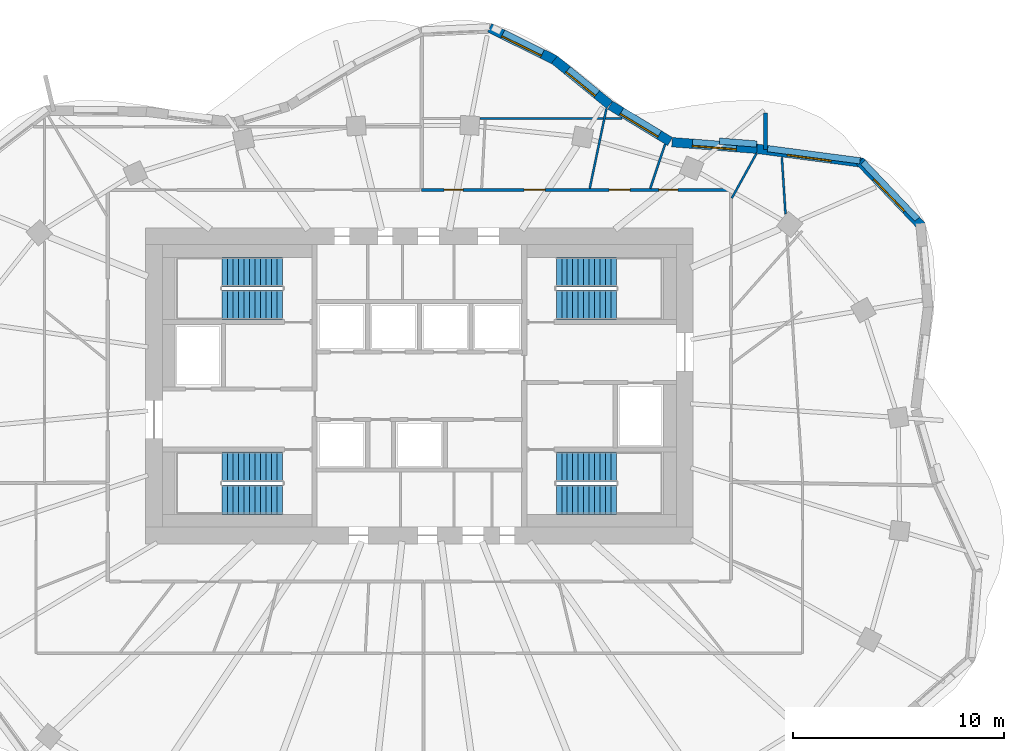
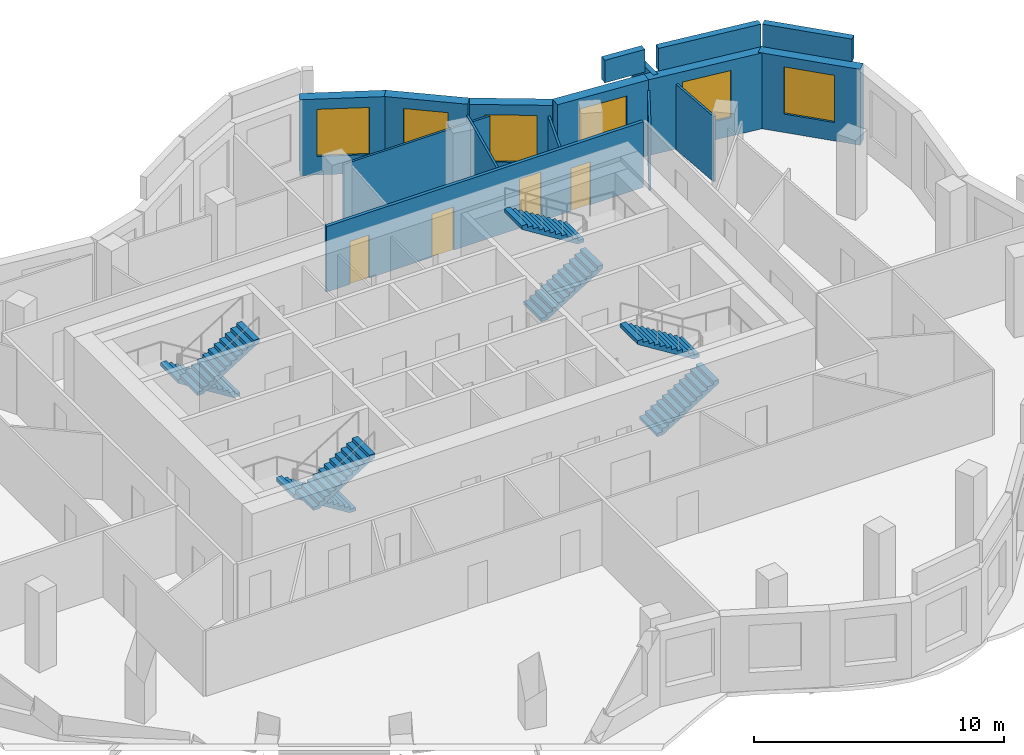
# One storey, part 8 of 9: 16 walls, 8 stair flights, 6 windows, 4 doors, 10 openings, 4 elements without a shape of their own.
"""IFC4 building model written with IfcOpenShell, lengths in metres."""

from ifc_helpers import new_model, si_unit, direction, frame, frame_2d, origin, place, context, subcontext, project, spatial, polyline, rectangle, outline, extrude, material, layer, layer_set, type_object, element, fill, aggregate, save


model = new_model("IFC4")

# Units and contexts
model_context = context("Model", 3, precision=1e-05, world=origin(), true_north=direction((0.0, 1.0)))
body_context = subcontext(model_context, "Body", "Model", "MODEL_VIEW")
ifc_project = project(units=[si_unit("LENGTHUNIT", "METRE"), si_unit("AREAUNIT", "SQUARE_METRE"), si_unit("VOLUMEUNIT", "CUBIC_METRE"), si_unit("PLANEANGLEUNIT", "RADIAN"), si_unit("MASSUNIT", "GRAM", prefix="KILO")], contexts=[model_context])

# Site, building, storey
site_placement = place(None, origin())
site = spatial("IfcSite", under=ifc_project, at=site_placement, CompositionType="ELEMENT")
building_placement = place(site_placement, origin())
building = spatial("IfcBuilding", under=site, at=building_placement, Name="Rubra Terraces Tower", CompositionType="ELEMENT")
storey_placement = place(building_placement, frame((0.0, 0.0, 300.0)))
storey = spatial("IfcBuildingStorey", under=building, at=storey_placement, Name="L74", CompositionType="ELEMENT", Elevation=300.0)

# Wall, opening, window
ifc_material_1 = material(Name="Brick masonry red-brown", Category="masonry")
ifc_layer_1 = layer(ifc_material_1, 0.449951171875)
ifc_layer_set_1 = layer_set([ifc_layer_1], Name="Brick masonry red-brown")
wall_type_1 = type_object("IfcWallType", Name="Brick facade wall 450", PredefinedType="SOLIDWALL", material=ifc_layer_set_1)
wall_1_placement = place(storey_placement, frame((23.84912109375, 12.07958984375, 0.0), z_axis=(0.0, 0.0, 1.0), x_axis=(-0.690057851873, 0.723754213161, 0.0)))
wall_1 = element("IfcWall", 1, at=wall_1_placement, inside=storey, type_object=wall_type_1, Name="Facade wall L74 bay 4", PredefinedType="SOLIDWALL", context=body_context, shape_type="SweptSolid", body=[
    extrude(rectangle(XDim=4.2529296875, YDim=0.449951171875, at=frame_2d((2.12646484375, 0.0))), origin(), (0.0, 0.0, 1.0), 3.699951171875),
])
opening_1_placement = place(wall_1_placement, frame((1.076416015625, 0.0, 0.89990234375)))
opening_1 = element("IfcOpeningElement", 2, at=opening_1_placement, cuts=wall_1, Name="Opening W1B", PredefinedType="OPENING", context=body_context, shape_type="SweptSolid", body=[
    extrude(rectangle(XDim=2.10009765625, YDim=2.300048828125, at=frame_2d((1.050048828125, 1.14990234375))), frame((0.0, 0.23486328125, 0.0), z_axis=(0.0, -1.0, 0.0), x_axis=(1.0, 0.0, 0.0)), (0.0, 0.0, 1.0), 0.469970703125),
])
ifc_material_2 = material(Name="Clear glass in aluminium frame", Category="aluminium")
window_type_1 = type_object("IfcWindowType", Name="Fixed deep-set window tall storey 2100 x 2300", PartitioningType="SINGLE_PANEL", PredefinedType="WINDOW", material=ifc_material_2)
window_1_placement = place(opening_1_placement, origin())
window_1 = element("IfcWindow", 3, at=window_1_placement, inside=storey, type_object=window_type_1, Name="Window L74 bay 4", OverallHeight=2.300048828125, OverallWidth=2.10009765625, PartitioningType="SINGLE_PANEL", PredefinedType="WINDOW", context=body_context, shape_type="SweptSolid", body=[
    extrude(rectangle(XDim=2.10009765625, YDim=2.300048828125, at=frame_2d((1.050048828125, 1.14990234375))), frame((0.0, 0.135009765625, 0.0), z_axis=(0.0, -1.0, 0.0), x_axis=(1.0, 0.0, 0.0)), (0.0, 0.0, 1.0), 0.06005859375),
])
fill(opening_1, window_1)

wall_2_placement = place(storey_placement, frame((21.043701171875, 15.090576171875, 0.0), z_axis=(0.0, 0.0, 1.0), x_axis=(-0.991409967396, 0.130790965086, 0.0)))
wall_2 = element("IfcWall", 4, at=wall_2_placement, inside=storey, type_object=wall_type_1, Name="Facade wall L74 bay 5", PredefinedType="SOLIDWALL", context=body_context, shape_type="SweptSolid", body=[
    extrude(rectangle(XDim=5.06787109375, YDim=0.449951171875, at=frame_2d((2.533935546875, 0.0))), origin(), (0.0, 0.0, 1.0), 3.699951171875),
])
opening_2_placement = place(wall_2_placement, frame((1.48388671875, 0.0, 0.89990234375)))
opening_2 = element("IfcOpeningElement", 5, at=opening_2_placement, cuts=wall_2, Name="Opening W1B", PredefinedType="OPENING", context=body_context, shape_type="SweptSolid", body=[
    extrude(rectangle(XDim=2.10009765625, YDim=2.300048828125, at=frame_2d((1.050048828125, 1.14990234375))), frame((0.0, 0.23486328125, 0.0), z_axis=(0.0, -1.0, 0.0), x_axis=(1.0, 0.0, 0.0)), (0.0, 0.0, 1.0), 0.469970703125),
])
window_2_placement = place(opening_2_placement, origin())
window_2 = element("IfcWindow", 6, at=window_2_placement, inside=storey, type_object=window_type_1, Name="Window L74 bay 5", OverallHeight=2.300048828125, OverallWidth=2.10009765625, PartitioningType="SINGLE_PANEL", PredefinedType="WINDOW", context=body_context, shape_type="SweptSolid", body=[
    extrude(rectangle(XDim=2.10009765625, YDim=2.300048828125, at=frame_2d((1.050048828125, 1.14990234375))), frame((0.0, 0.135009765625, 0.0), z_axis=(0.0, -1.0, 0.0), x_axis=(1.0, 0.0, 0.0)), (0.0, 0.0, 1.0), 0.06005859375),
])
fill(opening_2, window_2)

wall_3_placement = place(storey_placement, frame((16.0302734375, 15.751953125, 0.0), z_axis=(0.0, 0.0, 1.0), x_axis=(-0.996967628157, 0.077817404267, 0.0)))
wall_3 = element("IfcWall", 7, at=wall_3_placement, inside=storey, type_object=wall_type_1, Name="Facade wall L74 bay 6", PredefinedType="SOLIDWALL", context=body_context, shape_type="SweptSolid", body=[
    extrude(rectangle(XDim=4.047119140625, YDim=0.449951171875, at=frame_2d((2.0234375, 0.0))), origin(), (0.0, 0.0, 1.0), 3.699951171875),
])
opening_3_placement = place(wall_3_placement, frame((0.9736328125, 0.0, 0.89990234375)))
opening_3 = element("IfcOpeningElement", 8, at=opening_3_placement, cuts=wall_3, Name="Opening W1B", PredefinedType="OPENING", context=body_context, shape_type="SweptSolid", body=[
    extrude(rectangle(XDim=2.10009765625, YDim=2.300048828125, at=frame_2d((1.050048828125, 1.14990234375))), frame((0.0, 0.23486328125, 0.0), z_axis=(0.0, -1.0, 0.0), x_axis=(1.0, 0.0, 0.0)), (0.0, 0.0, 1.0), 0.469970703125),
])
window_3_placement = place(opening_3_placement, origin())
window_3 = element("IfcWindow", 9, at=window_3_placement, inside=storey, type_object=window_type_1, Name="Window L74 bay 6", OverallHeight=2.300048828125, OverallWidth=2.10009765625, PartitioningType="SINGLE_PANEL", PredefinedType="WINDOW", context=body_context, shape_type="SweptSolid", body=[
    extrude(rectangle(XDim=2.10009765625, YDim=2.300048828125, at=frame_2d((1.050048828125, 1.14990234375))), frame((0.0, 0.135009765625, 0.0), z_axis=(0.0, -1.0, 0.0), x_axis=(1.0, 0.0, 0.0)), (0.0, 0.0, 1.0), 0.06005859375),
])
fill(opening_3, window_3)

wall_4_placement = place(storey_placement, frame((11.904541015625, 16.09619140625, 0.0), z_axis=(0.0, 0.0, 1.0), x_axis=(-0.854609476155, 0.519271261738, 0.0)))
wall_4 = element("IfcWall", 10, at=wall_4_placement, inside=storey, type_object=wall_type_1, Name="Facade wall L74 bay 7", PredefinedType="SOLIDWALL", context=body_context, shape_type="SweptSolid", body=[
    extrude(rectangle(XDim=3.324951171875, YDim=0.449951171875, at=frame_2d((1.66259765625, 0.0))), origin(), (0.0, 0.0, 1.0), 3.699951171875),
])
opening_4_placement = place(wall_4_placement, frame((0.6123046875, 0.0, 0.89990234375)))
opening_4 = element("IfcOpeningElement", 11, at=opening_4_placement, cuts=wall_4, Name="Opening W1B", PredefinedType="OPENING", context=body_context, shape_type="SweptSolid", body=[
    extrude(rectangle(XDim=2.10009765625, YDim=2.300048828125, at=frame_2d((1.050048828125, 1.14990234375))), frame((0.0, 0.23486328125, 0.0), z_axis=(0.0, -1.0, 0.0), x_axis=(1.0, 0.0, 0.0)), (0.0, 0.0, 1.0), 0.469970703125),
])
window_4_placement = place(opening_4_placement, origin())
window_4 = element("IfcWindow", 12, at=window_4_placement, inside=storey, type_object=window_type_1, Name="Window L74 bay 7", OverallHeight=2.300048828125, OverallWidth=2.10009765625, PartitioningType="SINGLE_PANEL", PredefinedType="WINDOW", context=body_context, shape_type="SweptSolid", body=[
    extrude(rectangle(XDim=2.10009765625, YDim=2.300048828125, at=frame_2d((1.050048828125, 1.14990234375))), frame((0.0, 0.135009765625, 0.0), z_axis=(0.0, -1.0, 0.0), x_axis=(1.0, 0.0, 0.0)), (0.0, 0.0, 1.0), 0.06005859375),
])
fill(opening_4, window_4)

wall_5_placement = place(storey_placement, frame((9.037109375, 17.84033203125, 0.0), z_axis=(0.0, 0.0, 1.0), x_axis=(-0.774810240287, 0.632193871804, 0.0)))
wall_5 = element("IfcWall", 13, at=wall_5_placement, inside=storey, type_object=wall_type_1, Name="Facade wall L74 bay 8", PredefinedType="SOLIDWALL", context=body_context, shape_type="SweptSolid", body=[
    extrude(rectangle(XDim=3.389404296875, YDim=0.449951171875, at=frame_2d((1.69482421875, 0.0))), origin(), (0.0, 0.0, 1.0), 3.699951171875),
])
opening_5_placement = place(wall_5_placement, frame((0.794677734375, 0.0, 0.89990234375)))
opening_5 = element("IfcOpeningElement", 14, at=opening_5_placement, cuts=wall_5, Name="Opening W6B", PredefinedType="OPENING", context=body_context, shape_type="SweptSolid", body=[
    extrude(rectangle(XDim=1.800048828125, YDim=2.300048828125, at=frame_2d((0.89990234375, 1.14990234375))), frame((0.0, 0.23486328125, 0.0), z_axis=(0.0, -1.0, 0.0), x_axis=(1.0, 0.0, 0.0)), (0.0, 0.0, 1.0), 0.469970703125),
])
window_type_2 = type_object("IfcWindowType", Name="Fixed deep-set window at wind fin tall storey 1800 x 2300", PartitioningType="SINGLE_PANEL", PredefinedType="WINDOW", material=ifc_material_2)
window_5_placement = place(opening_5_placement, origin())
window_5 = element("IfcWindow", 15, at=window_5_placement, inside=storey, type_object=window_type_2, Name="Window L74 bay 8", OverallHeight=2.300048828125, OverallWidth=1.800048828125, PartitioningType="SINGLE_PANEL", PredefinedType="WINDOW", context=body_context, shape_type="SweptSolid", body=[
    extrude(rectangle(XDim=1.800048828125, YDim=2.300048828125, at=frame_2d((0.89990234375, 1.14990234375))), frame((0.0, 0.135009765625, 0.0), z_axis=(0.0, -1.0, 0.0), x_axis=(1.0, 0.0, 0.0)), (0.0, 0.0, 1.0), 0.06005859375),
])
fill(opening_5, window_5)

wall_6_placement = place(storey_placement, frame((6.4501953125, 19.958251953125, 0.0), z_axis=(0.0, 0.0, 1.0), x_axis=(-0.896526715328, 0.442989671103, 0.0)))
wall_6 = element("IfcWall", 16, at=wall_6_placement, inside=storey, type_object=wall_type_1, Name="Facade wall L74 bay 9", PredefinedType="SOLIDWALL", context=body_context, shape_type="SweptSolid", body=[
    extrude(rectangle(XDim=3.47216796875, YDim=0.449951171875, at=frame_2d((1.736083984375, 0.0))), origin(), (0.0, 0.0, 1.0), 3.699951171875),
])
opening_6_placement = place(wall_6_placement, frame((0.68603515625, 0.0, 0.89990234375)))
opening_6 = element("IfcOpeningElement", 17, at=opening_6_placement, cuts=wall_6, Name="Opening W1B", PredefinedType="OPENING", context=body_context, shape_type="SweptSolid", body=[
    extrude(rectangle(XDim=2.10009765625, YDim=2.300048828125, at=frame_2d((1.050048828125, 1.14990234375))), frame((0.0, 0.23486328125, 0.0), z_axis=(0.0, -1.0, 0.0), x_axis=(1.0, 0.0, 0.0)), (0.0, 0.0, 1.0), 0.469970703125),
])
window_6_placement = place(opening_6_placement, origin())
window_6 = element("IfcWindow", 18, at=window_6_placement, inside=storey, type_object=window_type_1, Name="Window L74 bay 9", OverallHeight=2.300048828125, OverallWidth=2.10009765625, PartitioningType="SINGLE_PANEL", PredefinedType="WINDOW", context=body_context, shape_type="SweptSolid", body=[
    extrude(rectangle(XDim=2.10009765625, YDim=2.300048828125, at=frame_2d((1.050048828125, 1.14990234375))), frame((0.0, 0.135009765625, 0.0), z_axis=(0.0, -1.0, 0.0), x_axis=(1.0, 0.0, 0.0)), (0.0, 0.0, 1.0), 0.06005859375),
])
fill(opening_6, window_6)

# Walls
ifc_layer_2 = layer(ifc_material_1, 0.300048828125)
ifc_layer_set_2 = layer_set([ifc_layer_2], Name="Brick masonry red-brown")
wall_type_2 = type_object("IfcWallType", Name="Brick parapet 300", PredefinedType="PARAPET", material=ifc_layer_set_2)
wall_7_placement = place(storey_placement, frame((23.6396484375, 12.408203125, 3.89990234375), z_axis=(0.0, 0.0, 1.0), x_axis=(-0.690141419558, 0.723674526987, 0.0)))
element("IfcWall", 19, at=wall_7_placement, inside=storey, type_object=wall_type_2, Name="Parapet L74 bay 4", PredefinedType="PARAPET", context=body_context, shape_type="SweptSolid", body=[
    extrude(rectangle(XDim=3.73486328125, YDim=0.300048828125, at=frame_2d((1.867431640625, 0.0))), origin(), (0.0, 0.0, 1.0), 1.10009765625),
])
wall_8_placement = place(storey_placement, frame((20.922607421875, 15.18212890625, 3.89990234375), z_axis=(0.0, 0.0, 1.0), x_axis=(-0.991411041714, 0.130782821377, 0.0)))
element("IfcWall", 20, at=wall_8_placement, inside=storey, type_object=wall_type_2, Name="Parapet L74 bay 5", PredefinedType="PARAPET", context=body_context, shape_type="SweptSolid", body=[
    extrude(rectangle(XDim=4.42431640625, YDim=0.300048828125, at=frame_2d((2.212158203125, 0.0))), origin(), (0.0, 0.0, 1.0), 1.10009765625),
])
wall_9_placement = place(storey_placement, frame((16.018798828125, 15.978515625, 3.89990234375), z_axis=(0.0, 0.0, 1.0), x_axis=(-0.99696580474, 0.077840761676, 0.0)))
element("IfcWall", 21, at=wall_9_placement, inside=storey, type_object=wall_type_2, Name="Parapet L74 bay 6", PredefinedType="PARAPET", context=body_context, shape_type="SweptSolid", body=[
    extrude(rectangle(XDim=1.7783203125, YDim=0.300048828125, at=frame_2d((0.88916015625, 0.0))), origin(), (0.0, 0.0, 1.0), 1.10009765625),
])
ifc_layer_3 = layer(ifc_material_1, 0.199951171875)
ifc_layer_set_3 = layer_set([ifc_layer_3], Name="Brick masonry red-brown")
wall_type_3 = type_object("IfcWallType", Name="Brick wind fin 200", PredefinedType="SOLIDWALL", material=ifc_layer_set_3)
wall_10_placement = place(storey_placement, frame((16.43505859375, 15.7119140625, 0.0), z_axis=(0.0, 0.0, 1.0), x_axis=(-0.000279017846, 0.999999961075, 0.0)))
element("IfcWall", 22, at=wall_10_placement, inside=storey, type_object=wall_type_3, Name="Wind fin L74 3", PredefinedType="SOLIDWALL", context=body_context, shape_type="SweptSolid", body=[
    extrude(rectangle(XDim=1.75, YDim=0.199951171875, at=frame_2d((0.875, 0.0))), origin(), (0.0, 0.0, 1.0), 3.699951171875),
])

# Wall, openings, doors
ifc_material_3 = material(Name="Plasterboard on steel stud, mineral wool infill", Category="steel")
ifc_layer_4 = layer(ifc_material_3, 0.14990234375)
ifc_layer_set_4 = layer_set([ifc_layer_4], Name="Plasterboard on steel stud, mineral wool infill")
wall_type_4 = type_object("IfcWallType", Name="CORRIDOR PARTITION 150", PredefinedType="PARTITIONING", material=ifc_layer_set_4)
wall_11_placement = place(storey_placement, frame((14.72509765625, 13.800048828125, 0.0), z_axis=(0.0, 0.0, 1.0), x_axis=(-1.0, 0.0, 0.0)))
wall_11 = element("IfcWall", 23, at=wall_11_placement, inside=storey, type_object=wall_type_4, Name="PARTITION", PredefinedType="PARTITIONING", context=body_context, shape_type="SweptSolid", body=[
    extrude(rectangle(XDim=14.6162109375, YDim=0.14990234375, at=frame_2d((7.30810546875, 0.0))), origin(), (0.0, 0.0, 1.0), 3.197998046875),
])
opening_7_placement = place(wall_11_placement, frame((4.718994140625, 0.0, 0.0)))
opening_7 = element("IfcOpeningElement", 24, at=opening_7_placement, cuts=wall_11, Name="Opening 74-105", PredefinedType="OPENING", context=body_context, shape_type="SweptSolid", body=[
    extrude(rectangle(XDim=1.0, YDim=2.39990234375, at=frame_2d((0.5, 1.199951171875))), frame((0.0, 0.0849609375, 0.0), z_axis=(0.0, -1.0, 0.0), x_axis=(1.0, 0.0, 0.0)), (0.0, 0.0, 1.0), 0.169921875),
])
opening_8_placement = place(wall_11_placement, frame((2.449951171875, 0.0, 0.0)))
opening_8 = element("IfcOpeningElement", 25, at=opening_8_placement, cuts=wall_11, Name="Opening 74-122", PredefinedType="OPENING", context=body_context, shape_type="SweptSolid", body=[
    extrude(rectangle(XDim=0.89990234375, YDim=2.10009765625, at=frame_2d((0.449951171875, 1.050048828125))), frame((0.0, 0.0849609375, 0.0), z_axis=(0.0, -1.0, 0.0), x_axis=(1.0, 0.0, 0.0)), (0.0, 0.0, 1.0), 0.169921875),
])
opening_9_placement = place(wall_11_placement, frame((8.75, 0.0, 0.0)))
opening_9 = element("IfcOpeningElement", 26, at=opening_9_placement, cuts=wall_11, Name="Opening 74-123", PredefinedType="OPENING", context=body_context, shape_type="SweptSolid", body=[
    extrude(rectangle(XDim=1.0, YDim=2.10009765625, at=frame_2d((0.5, 1.050048828125))), frame((0.0, 0.0849609375, 0.0), z_axis=(0.0, -1.0, 0.0), x_axis=(1.0, 0.0, 0.0)), (0.0, 0.0, 1.0), 0.169921875),
])
opening_10_placement = place(wall_11_placement, frame((12.64990234375, 0.0, 0.0)))
opening_10 = element("IfcOpeningElement", 27, at=opening_10_placement, cuts=wall_11, Name="Opening 74-124", PredefinedType="OPENING", context=body_context, shape_type="SweptSolid", body=[
    extrude(rectangle(XDim=0.89990234375, YDim=2.10009765625, at=frame_2d((0.449951171875, 1.050048828125))), frame((0.0, 0.0849609375, 0.0), z_axis=(0.0, -1.0, 0.0), x_axis=(1.0, 0.0, 0.0)), (0.0, 0.0, 1.0), 0.169921875),
])
ifc_material_4 = material(Name="Painted timber door leaf", Category="wood")
door_type_1 = type_object("IfcDoorType", Name="BATHROOM DOOR 900 X 2100", OperationType="SINGLE_SWING_LEFT", PredefinedType="DOOR", material=ifc_material_4)
door_1_placement = place(opening_8_placement, origin())
door_1 = element("IfcDoor", 28, at=door_1_placement, inside=storey, type_object=door_type_1, Name="DOOR 74-122", OperationType="SINGLE_SWING_RIGHT", OverallHeight=2.10009765625, OverallWidth=0.89990234375, PredefinedType="DOOR", context=body_context, shape_type="SweptSolid", body=[
    extrude(rectangle(XDim=0.89990234375, YDim=2.10009765625, at=frame_2d((0.449951171875, 1.050048828125))), frame((0.0, 0.02490234375, 0.0), z_axis=(0.0, -1.0, 0.0), x_axis=(1.0, 0.0, 0.0)), (0.0, 0.0, 1.0), 0.050048828125),
])
fill(opening_8, door_1)
door_2_placement = place(opening_10_placement, origin())
door_2 = element("IfcDoor", 29, at=door_2_placement, inside=storey, type_object=door_type_1, Name="DOOR 74-124", OperationType="SINGLE_SWING_RIGHT", OverallHeight=2.10009765625, OverallWidth=0.89990234375, PredefinedType="DOOR", context=body_context, shape_type="SweptSolid", body=[
    extrude(rectangle(XDim=0.89990234375, YDim=2.10009765625, at=frame_2d((0.449951171875, 1.050048828125))), frame((0.0, 0.02490234375, 0.0), z_axis=(0.0, -1.0, 0.0), x_axis=(1.0, 0.0, 0.0)), (0.0, 0.0, 1.0), 0.050048828125),
])
fill(opening_10, door_2)
ifc_material_5 = material(Name="Glazed aluminium meeting door leaf", Category="aluminium")
door_type_2 = type_object("IfcDoorType", Name="MEETING ROOM GLAZED DOOR 1000 X 2400", OperationType="SINGLE_SWING_LEFT", PredefinedType="DOOR", material=ifc_material_5)
door_3_placement = place(opening_7_placement, origin())
door_3 = element("IfcDoor", 30, at=door_3_placement, inside=storey, type_object=door_type_2, Name="DOOR 74-105", OperationType="SINGLE_SWING_RIGHT", OverallHeight=2.39990234375, OverallWidth=1.0, PredefinedType="DOOR", context=body_context, shape_type="SweptSolid", body=[
    extrude(rectangle(XDim=1.0, YDim=2.39990234375, at=frame_2d((0.5, 1.199951171875))), frame((0.0, 0.02490234375, 0.0), z_axis=(0.0, -1.0, 0.0), x_axis=(1.0, 0.0, 0.0)), (0.0, 0.0, 1.0), 0.050048828125),
])
fill(opening_7, door_3)
door_type_3 = type_object("IfcDoorType", Name="ROOM DOOR 1000 X 2100", OperationType="SINGLE_SWING_LEFT", PredefinedType="DOOR", material=ifc_material_4)
door_4_placement = place(opening_9_placement, origin())
door_4 = element("IfcDoor", 31, at=door_4_placement, inside=storey, type_object=door_type_3, Name="DOOR 74-123", OperationType="SINGLE_SWING_RIGHT", OverallHeight=2.10009765625, OverallWidth=1.0, PredefinedType="DOOR", context=body_context, shape_type="SweptSolid", body=[
    extrude(rectangle(XDim=1.0, YDim=2.10009765625, at=frame_2d((0.5, 1.050048828125))), frame((0.0, 0.02490234375, 0.0), z_axis=(0.0, -1.0, 0.0), x_axis=(1.0, 0.0, 0.0)), (0.0, 0.0, 1.0), 0.050048828125),
])
fill(opening_9, door_4)

# Walls
ifc_material_6 = material(Name="Plasterboard on steel stud", Category="steel")
ifc_layer_5 = layer(ifc_material_6, 0.10009765625)
ifc_layer_set_5 = layer_set([ifc_layer_5], Name="Plasterboard on steel stud")
wall_type_5 = type_object("IfcWallType", Name="ROOM PARTITION 100", PredefinedType="PARTITIONING", material=ifc_layer_set_5)
wall_12_placement = place(storey_placement, frame((2.879150390625, 17.199951171875, 0.0), z_axis=(0.0, 0.0, 1.0), x_axis=(1.0, 0.0, 0.0)))
element("IfcWall", 32, at=wall_12_placement, inside=storey, type_object=wall_type_5, Name="PARTITION", PredefinedType="PARTITIONING", context=body_context, shape_type="SweptSolid", body=[
    extrude(rectangle(XDim=6.737060546875, YDim=0.10009765625, at=frame_2d((3.36865234375, 0.0))), origin(), (0.0, 0.0, 1.0), 3.18408203125),
])
wall_13_placement = place(storey_placement, frame((17.210693359375, 15.34912109375, 0.0), z_axis=(0.0, 0.0, 1.0), x_axis=(0.06391026604, -0.997955649262, 0.0)))
element("IfcWall", 33, at=wall_13_placement, inside=storey, type_object=wall_type_5, Name="PARTITION", PredefinedType="PARTITIONING", context=body_context, shape_type="SweptSolid", body=[
    extrude(rectangle(XDim=2.70849609375, YDim=0.10009765625, at=frame_2d((1.354248046875, 0.0))), origin(), (0.0, 0.0, 1.0), 3.18408203125),
])
wall_14_placement = place(storey_placement, frame((14.836181640625, 13.411865234375, 0.0), z_axis=(0.0, 0.0, 1.0), x_axis=(0.483304666726, 0.875452225493, 0.0)))
element("IfcWall", 34, at=wall_14_placement, inside=storey, type_object=wall_type_5, Name="PARTITION", PredefinedType="PARTITIONING", context=body_context, shape_type="SweptSolid", body=[
    extrude(rectangle(XDim=2.4130859375, YDim=0.10009765625, at=frame_2d((1.20654296875, 0.0))), origin(), (0.0, 0.0, 1.0), 3.18408203125),
])
wall_15_placement = place(storey_placement, frame((10.9619140625, 13.87109375, 0.0), z_axis=(0.0, 0.0, 1.0), x_axis=(0.317447611302, 0.948275811185, 0.0)))
element("IfcWall", 35, at=wall_15_placement, inside=storey, type_object=wall_type_5, Name="PARTITION", PredefinedType="PARTITIONING", context=body_context, shape_type="SweptSolid", body=[
    extrude(rectangle(XDim=2.22119140625, YDim=0.10009765625, at=frame_2d((1.110595703125, 0.0))), origin(), (0.0, 0.0, 1.0), 3.18408203125),
])
wall_16_placement = place(storey_placement, frame((8.088623046875, 13.873291015625, 0.0), z_axis=(0.0, 0.0, 1.0), x_axis=(0.204762054833, 0.978811780119, 0.0)))
element("IfcWall", 36, at=wall_16_placement, inside=storey, type_object=wall_type_5, Name="PARTITION", PredefinedType="PARTITIONING", context=body_context, shape_type="SweptSolid", body=[
    extrude(rectangle(XDim=3.873779296875, YDim=0.10009765625, at=frame_2d((1.93701171875, 0.0))), origin(), (0.0, 0.0, 1.0), 3.18408203125),
])

# Stair, stair flights
ifc_material_7 = material(Name="Concrete C40", Category="concrete")
stair_type = type_object("IfcStairType", Name="Core stair 1400", PredefinedType="HALF_TURN_STAIR", material=ifc_material_7)
stair_1_placement = place(storey_placement, origin())
stair_1 = element("IfcStair", 37, at=stair_1_placement, inside=storey, type_object=stair_type, Name="L74 Exit stair S1", PredefinedType="HALF_TURN_STAIR")
stair_flight_type = type_object("IfcStairFlightType", Name="Core stair flight 1400", PredefinedType="STRAIGHT", material=ifc_material_7)
stair_flight_1_placement = place(storey_placement, frame((-6.5, 0.64990234375, 0.0), z_axis=(0.0, 0.0, 1.0), x_axis=(-1.0, 0.0, 0.0)))
stair_flight_1 = element("IfcStairFlight", 38, at=stair_flight_1_placement, type_object=stair_flight_type, Name="S1 flight 1", NumberOfRisers=12, NumberOfTreads=11, PredefinedType="STRAIGHT", RiserHeight=0.1625, TreadLength=0.26, context=body_context, shape_type="SweptSolid", body=[
    extrude(outline(polyline([(0.0, 0.0), (0.0, 0.16259765625), (0.260009765625, 0.16259765625), (0.260009765625, 0.324951171875), (0.52001953125, 0.324951171875), (0.52001953125, 0.487548828125), (0.780029296875, 0.487548828125), (0.780029296875, 0.64990234375), (1.0400390625, 0.64990234375), (1.0400390625, 0.8125), (1.300048828125, 0.8125), (1.300048828125, 0.97509765625), (1.56005859375, 0.97509765625), (1.56005859375, 1.137451171875), (1.820068359375, 1.137451171875), (1.820068359375, 1.300048828125), (2.080078125, 1.300048828125), (2.080078125, 1.46240234375), (2.340087890625, 1.46240234375), (2.340087890625, 1.625), (2.60009765625, 1.625), (2.60009765625, 1.78759765625), (2.860107421875, 1.78759765625), (2.860107421875, 1.949951171875), (2.860107421875, 1.61083984375), (0.28271484375, 0.0), (0.0, 0.0)])), frame((0.0, 0.699951171875, 0.0), z_axis=(0.0, -1.0, 0.0), x_axis=(1.0, 0.0, 0.0)), (0.0, 0.0, 1.0), 1.39990234375),
])
stair_flight_2_placement = place(storey_placement, frame((-9.360107421875, -0.89990234375, 1.949951171875), z_axis=(0.0, 0.0, 1.0), x_axis=(1.0, 0.0, 0.0)))
stair_flight_2 = element("IfcStairFlight", 39, at=stair_flight_2_placement, type_object=stair_flight_type, Name="S1 flight 2", NumberOfRisers=12, NumberOfTreads=11, PredefinedType="STRAIGHT", RiserHeight=0.1625, TreadLength=0.26, context=body_context, shape_type="SweptSolid", body=[
    extrude(outline(polyline([(0.0, 0.0), (0.0, 0.16259765625), (0.260009765625, 0.16259765625), (0.260009765625, 0.324951171875), (0.52001953125, 0.324951171875), (0.52001953125, 0.487548828125), (0.780029296875, 0.487548828125), (0.780029296875, 0.64990234375), (1.0400390625, 0.64990234375), (1.0400390625, 0.8125), (1.300048828125, 0.8125), (1.300048828125, 0.97509765625), (1.56005859375, 0.97509765625), (1.56005859375, 1.137451171875), (1.820068359375, 1.137451171875), (1.820068359375, 1.300048828125), (2.080078125, 1.300048828125), (2.080078125, 1.46240234375), (2.340087890625, 1.46240234375), (2.340087890625, 1.625), (2.60009765625, 1.625), (2.60009765625, 1.78759765625), (2.860107421875, 1.78759765625), (2.860107421875, 1.949951171875), (2.860107421875, 1.61083984375), (0.28271484375, 0.0), (0.0, 0.0)])), frame((0.0, 0.699951171875, 0.0), z_axis=(0.0, -1.0, 0.0), x_axis=(1.0, 0.0, 0.0)), (0.0, 0.0, 1.0), 1.39990234375),
])
aggregate(stair_1, [stair_flight_1, stair_flight_2])

stair_2_placement = place(storey_placement, origin())
stair_2 = element("IfcStair", 40, at=stair_2_placement, inside=storey, type_object=stair_type, Name="L74 Exit stair S2", PredefinedType="HALF_TURN_STAIR")
stair_flight_3_placement = place(storey_placement, frame((-6.5, 9.89990234375, 0.0), z_axis=(0.0, 0.0, 1.0), x_axis=(-1.0, 0.0, 0.0)))
stair_flight_3 = element("IfcStairFlight", 41, at=stair_flight_3_placement, type_object=stair_flight_type, Name="S2 flight 1", NumberOfRisers=12, NumberOfTreads=11, PredefinedType="STRAIGHT", RiserHeight=0.1625, TreadLength=0.26, context=body_context, shape_type="SweptSolid", body=[
    extrude(outline(polyline([(0.0, 0.0), (0.0, 0.16259765625), (0.260009765625, 0.16259765625), (0.260009765625, 0.324951171875), (0.52001953125, 0.324951171875), (0.52001953125, 0.487548828125), (0.780029296875, 0.487548828125), (0.780029296875, 0.64990234375), (1.0400390625, 0.64990234375), (1.0400390625, 0.8125), (1.300048828125, 0.8125), (1.300048828125, 0.97509765625), (1.56005859375, 0.97509765625), (1.56005859375, 1.137451171875), (1.820068359375, 1.137451171875), (1.820068359375, 1.300048828125), (2.080078125, 1.300048828125), (2.080078125, 1.46240234375), (2.340087890625, 1.46240234375), (2.340087890625, 1.625), (2.60009765625, 1.625), (2.60009765625, 1.78759765625), (2.860107421875, 1.78759765625), (2.860107421875, 1.949951171875), (2.860107421875, 1.61083984375), (0.28271484375, 0.0), (0.0, 0.0)])), frame((0.0, 0.699951171875, 0.0), z_axis=(0.0, -1.0, 0.0), x_axis=(1.0, 0.0, 0.0)), (0.0, 0.0, 1.0), 1.39990234375),
])
stair_flight_4_placement = place(storey_placement, frame((-9.360107421875, 8.35009765625, 1.949951171875), z_axis=(0.0, 0.0, 1.0), x_axis=(1.0, 0.0, 0.0)))
stair_flight_4 = element("IfcStairFlight", 42, at=stair_flight_4_placement, type_object=stair_flight_type, Name="S2 flight 2", NumberOfRisers=12, NumberOfTreads=11, PredefinedType="STRAIGHT", RiserHeight=0.1625, TreadLength=0.26, context=body_context, shape_type="SweptSolid", body=[
    extrude(outline(polyline([(0.0, 0.0), (0.0, 0.16259765625), (0.260009765625, 0.16259765625), (0.260009765625, 0.324951171875), (0.52001953125, 0.324951171875), (0.52001953125, 0.487548828125), (0.780029296875, 0.487548828125), (0.780029296875, 0.64990234375), (1.0400390625, 0.64990234375), (1.0400390625, 0.8125), (1.300048828125, 0.8125), (1.300048828125, 0.97509765625), (1.56005859375, 0.97509765625), (1.56005859375, 1.137451171875), (1.820068359375, 1.137451171875), (1.820068359375, 1.300048828125), (2.080078125, 1.300048828125), (2.080078125, 1.46240234375), (2.340087890625, 1.46240234375), (2.340087890625, 1.625), (2.60009765625, 1.625), (2.60009765625, 1.78759765625), (2.860107421875, 1.78759765625), (2.860107421875, 1.949951171875), (2.860107421875, 1.61083984375), (0.28271484375, 0.0), (0.0, 0.0)])), frame((0.0, 0.699951171875, 0.0), z_axis=(0.0, -1.0, 0.0), x_axis=(1.0, 0.0, 0.0)), (0.0, 0.0, 1.0), 1.39990234375),
])
aggregate(stair_2, [stair_flight_3, stair_flight_4])

stair_3_placement = place(storey_placement, origin())
stair_3 = element("IfcStair", 43, at=stair_3_placement, inside=storey, type_object=stair_type, Name="L74 Exit stair S3", PredefinedType="HALF_TURN_STAIR")
stair_flight_5_placement = place(storey_placement, frame((6.5, 8.35009765625, 0.0), z_axis=(0.0, 0.0, 1.0), x_axis=(1.0, 0.0, 0.0)))
stair_flight_5 = element("IfcStairFlight", 44, at=stair_flight_5_placement, type_object=stair_flight_type, Name="S3 flight 1", NumberOfRisers=12, NumberOfTreads=11, PredefinedType="STRAIGHT", RiserHeight=0.1625, TreadLength=0.26, context=body_context, shape_type="SweptSolid", body=[
    extrude(outline(polyline([(0.0, 0.0), (0.0, 0.16259765625), (0.260009765625, 0.16259765625), (0.260009765625, 0.324951171875), (0.52001953125, 0.324951171875), (0.52001953125, 0.487548828125), (0.780029296875, 0.487548828125), (0.780029296875, 0.64990234375), (1.0400390625, 0.64990234375), (1.0400390625, 0.8125), (1.300048828125, 0.8125), (1.300048828125, 0.97509765625), (1.56005859375, 0.97509765625), (1.56005859375, 1.137451171875), (1.820068359375, 1.137451171875), (1.820068359375, 1.300048828125), (2.080078125, 1.300048828125), (2.080078125, 1.46240234375), (2.340087890625, 1.46240234375), (2.340087890625, 1.625), (2.60009765625, 1.625), (2.60009765625, 1.78759765625), (2.860107421875, 1.78759765625), (2.860107421875, 1.949951171875), (2.860107421875, 1.61083984375), (0.28271484375, 0.0), (0.0, 0.0)])), frame((0.0, 0.699951171875, 0.0), z_axis=(0.0, -1.0, 0.0), x_axis=(1.0, 0.0, 0.0)), (0.0, 0.0, 1.0), 1.39990234375),
])
stair_flight_6_placement = place(storey_placement, frame((9.360107421875, 9.89990234375, 1.949951171875), z_axis=(0.0, 0.0, 1.0), x_axis=(-1.0, 0.0, 0.0)))
stair_flight_6 = element("IfcStairFlight", 45, at=stair_flight_6_placement, type_object=stair_flight_type, Name="S3 flight 2", NumberOfRisers=12, NumberOfTreads=11, PredefinedType="STRAIGHT", RiserHeight=0.1625, TreadLength=0.26, context=body_context, shape_type="SweptSolid", body=[
    extrude(outline(polyline([(0.0, 0.0), (0.0, 0.16259765625), (0.260009765625, 0.16259765625), (0.260009765625, 0.324951171875), (0.52001953125, 0.324951171875), (0.52001953125, 0.487548828125), (0.780029296875, 0.487548828125), (0.780029296875, 0.64990234375), (1.0400390625, 0.64990234375), (1.0400390625, 0.8125), (1.300048828125, 0.8125), (1.300048828125, 0.97509765625), (1.56005859375, 0.97509765625), (1.56005859375, 1.137451171875), (1.820068359375, 1.137451171875), (1.820068359375, 1.300048828125), (2.080078125, 1.300048828125), (2.080078125, 1.46240234375), (2.340087890625, 1.46240234375), (2.340087890625, 1.625), (2.60009765625, 1.625), (2.60009765625, 1.78759765625), (2.860107421875, 1.78759765625), (2.860107421875, 1.949951171875), (2.860107421875, 1.61083984375), (0.28271484375, 0.0), (0.0, 0.0)])), frame((0.0, 0.699951171875, 0.0), z_axis=(0.0, -1.0, 0.0), x_axis=(1.0, 0.0, 0.0)), (0.0, 0.0, 1.0), 1.39990234375),
])
aggregate(stair_3, [stair_flight_5, stair_flight_6])

stair_4_placement = place(storey_placement, origin())
stair_4 = element("IfcStair", 46, at=stair_4_placement, inside=storey, type_object=stair_type, Name="L74 Exit stair S4", PredefinedType="HALF_TURN_STAIR")
stair_flight_7_placement = place(storey_placement, frame((6.5, -0.89990234375, 0.0), z_axis=(0.0, 0.0, 1.0), x_axis=(1.0, 0.0, 0.0)))
stair_flight_7 = element("IfcStairFlight", 47, at=stair_flight_7_placement, type_object=stair_flight_type, Name="S4 flight 1", NumberOfRisers=12, NumberOfTreads=11, PredefinedType="STRAIGHT", RiserHeight=0.1625, TreadLength=0.26, context=body_context, shape_type="SweptSolid", body=[
    extrude(outline(polyline([(0.0, 0.0), (0.0, 0.16259765625), (0.260009765625, 0.16259765625), (0.260009765625, 0.324951171875), (0.52001953125, 0.324951171875), (0.52001953125, 0.487548828125), (0.780029296875, 0.487548828125), (0.780029296875, 0.64990234375), (1.0400390625, 0.64990234375), (1.0400390625, 0.8125), (1.300048828125, 0.8125), (1.300048828125, 0.97509765625), (1.56005859375, 0.97509765625), (1.56005859375, 1.137451171875), (1.820068359375, 1.137451171875), (1.820068359375, 1.300048828125), (2.080078125, 1.300048828125), (2.080078125, 1.46240234375), (2.340087890625, 1.46240234375), (2.340087890625, 1.625), (2.60009765625, 1.625), (2.60009765625, 1.78759765625), (2.860107421875, 1.78759765625), (2.860107421875, 1.949951171875), (2.860107421875, 1.61083984375), (0.28271484375, 0.0), (0.0, 0.0)])), frame((0.0, 0.699951171875, 0.0), z_axis=(0.0, -1.0, 0.0), x_axis=(1.0, 0.0, 0.0)), (0.0, 0.0, 1.0), 1.39990234375),
])
stair_flight_8_placement = place(storey_placement, frame((9.360107421875, 0.64990234375, 1.949951171875), z_axis=(0.0, 0.0, 1.0), x_axis=(-1.0, 0.0, 0.0)))
stair_flight_8 = element("IfcStairFlight", 48, at=stair_flight_8_placement, type_object=stair_flight_type, Name="S4 flight 2", NumberOfRisers=12, NumberOfTreads=11, PredefinedType="STRAIGHT", RiserHeight=0.1625, TreadLength=0.26, context=body_context, shape_type="SweptSolid", body=[
    extrude(outline(polyline([(0.0, 0.0), (0.0, 0.16259765625), (0.260009765625, 0.16259765625), (0.260009765625, 0.324951171875), (0.52001953125, 0.324951171875), (0.52001953125, 0.487548828125), (0.780029296875, 0.487548828125), (0.780029296875, 0.64990234375), (1.0400390625, 0.64990234375), (1.0400390625, 0.8125), (1.300048828125, 0.8125), (1.300048828125, 0.97509765625), (1.56005859375, 0.97509765625), (1.56005859375, 1.137451171875), (1.820068359375, 1.137451171875), (1.820068359375, 1.300048828125), (2.080078125, 1.300048828125), (2.080078125, 1.46240234375), (2.340087890625, 1.46240234375), (2.340087890625, 1.625), (2.60009765625, 1.625), (2.60009765625, 1.78759765625), (2.860107421875, 1.78759765625), (2.860107421875, 1.949951171875), (2.860107421875, 1.61083984375), (0.28271484375, 0.0), (0.0, 0.0)])), frame((0.0, 0.699951171875, 0.0), z_axis=(0.0, -1.0, 0.0), x_axis=(1.0, 0.0, 0.0)), (0.0, 0.0, 1.0), 1.39990234375),
])
aggregate(stair_4, [stair_flight_7, stair_flight_8])

save(model, "model.ifc")
